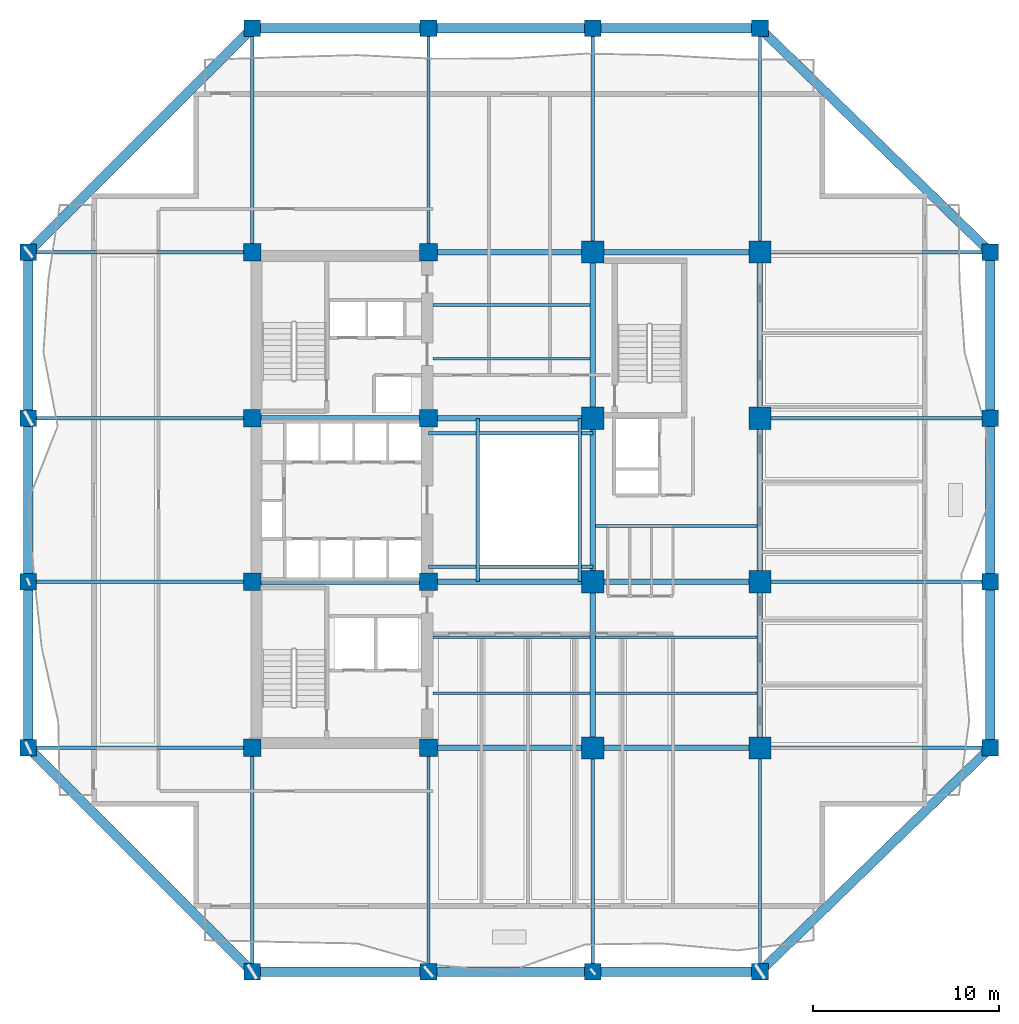
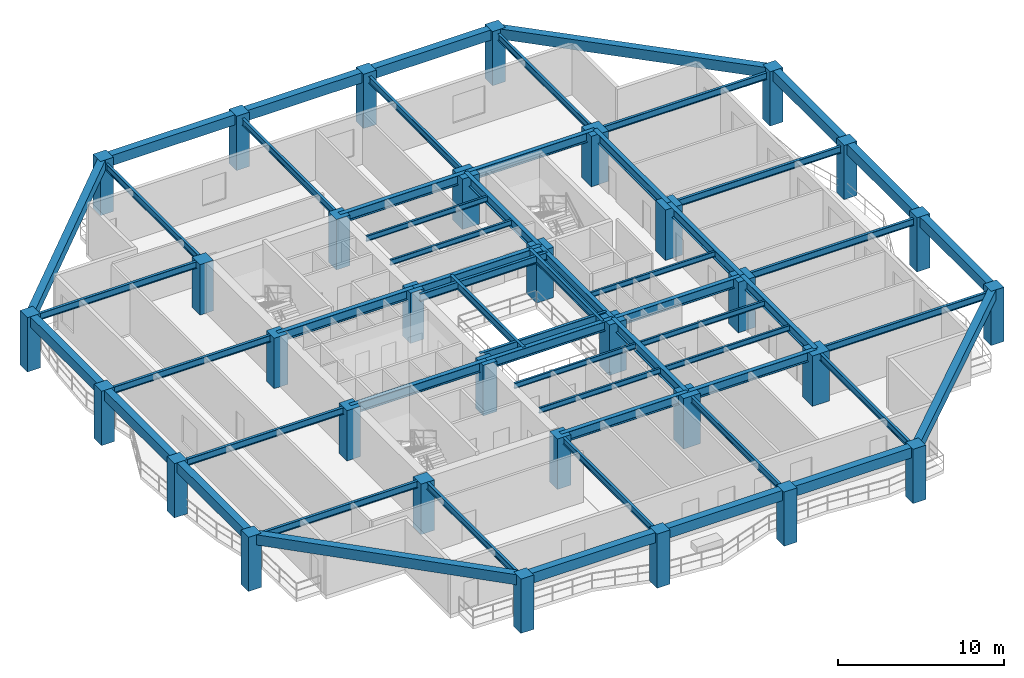
# One storey, part 1 of 13: 58 beams, 32 columns.
"""IFC4 building model written with IfcOpenShell, lengths in metres."""

from ifc_helpers import new_model, si_unit, direction, frame, origin, origin_2d, place, context, subcontext, project, spatial, rectangle, i_section, extrude, material, material_profile, profile_set, type_object, element, save


model = new_model("IFC4")

# Units and contexts
model_context = context("Model", 3, precision=1e-05, world=origin(), true_north=direction((0.0, 1.0)))
body_context = subcontext(model_context, "Body", "Model", "MODEL_VIEW")
ifc_project = project(units=[si_unit("LENGTHUNIT", "METRE"), si_unit("AREAUNIT", "SQUARE_METRE"), si_unit("VOLUMEUNIT", "CUBIC_METRE"), si_unit("PLANEANGLEUNIT", "RADIAN"), si_unit("MASSUNIT", "GRAM", prefix="KILO")], contexts=[model_context])

# Site, building, storey
site_placement = place(None, origin())
site = spatial("IfcSite", under=ifc_project, at=site_placement, CompositionType="ELEMENT")
building_placement = place(site_placement, origin())
building = spatial("IfcBuilding", under=site, at=building_placement, Name="Kundavana Baori Tower", CompositionType="ELEMENT")
storey_placement = place(building_placement, frame((0.0, 0.0, 66.0)))
storey = spatial("IfcBuildingStorey", under=building, at=storey_placement, Name="L15", CompositionType="ELEMENT", Elevation=66.0)

# Columns
ifc_material_1 = material(Name="Concrete C60/75", Category="concrete")
ifc_material_profile_1 = material_profile(ifc_material_1, rectangle(XDim=0.89990234375, YDim=0.89990234375, at=origin_2d()), Name="RC PF 900x900")
ifc_profile_set_1 = profile_set([ifc_material_profile_1], Name="Concrete C60/75")
column_type_1 = type_object("IfcColumnType", Name="COL-PF-900", PredefinedType="COLUMN", material=ifc_profile_set_1)
for number, where, z_axis, x_axis, name in (
    (1, (15.449951171875, 3.199951171875, 0.0), (0.0, 0.0, 1.0), (1.0, 0.0, 0.0), "L15 Stone-Clad Perimeter Frame Column PF-S1"),
    (2, (15.449951171875, 54.0, 0.0), (0.0, 0.0, 1.0), (1.0, 0.0, 0.0), "L15 Stone-Clad Perimeter Frame Column PF-N1"),
    (3, (24.949951171875, 3.199951171875, 0.0), (0.0, 0.0, 1.0), (1.0, 0.0, 0.0), "L15 Stone-Clad Perimeter Frame Column PF-S2"),
    (4, (24.949951171875, 54.0, 0.0), (0.0, 0.0, 1.0), (1.0, 0.0, 0.0), "L15 Stone-Clad Perimeter Frame Column PF-N2"),
    (5, (33.800048828125, 3.199951171875, 0.0), (0.0, 0.0, 1.0), (1.0, 0.0, 0.0), "L15 Stone-Clad Perimeter Frame Column PF-S3"),
    (6, (33.800048828125, 54.0, 0.0), (0.0, 0.0, 1.0), (1.0, 0.0, 0.0), "L15 Stone-Clad Perimeter Frame Column PF-N3"),
    (7, (42.800048828125, 3.199951171875, 0.0), (0.0, 0.0, 1.0), (1.0, 0.0, 0.0), "L15 Stone-Clad Perimeter Frame Column PF-S4"),
    (8, (42.800048828125, 54.0, 0.0), (0.0, 0.0, 1.0), (1.0, 0.0, 0.0), "L15 Stone-Clad Perimeter Frame Column PF-N4"),
    (9, (3.39990234375, 15.25, 0.0), (0.0, 0.0, 1.0), (1.0, 0.0, 0.0), "L15 Stone-Clad Perimeter Frame Column PF-W1"),
    (10, (55.199951171875, 15.25, 0.0), (0.0, 0.0, 1.0), (1.0, 0.0, 0.0), "L15 Stone-Clad Perimeter Frame Column PF-E1"),
    (11, (3.39990234375, 24.199951171875, 0.0), (0.0, 0.0, 1.0), (1.0, 0.0, 0.0), "L15 Stone-Clad Perimeter Frame Column PF-W2"),
    (12, (55.199951171875, 24.199951171875, 0.0), (0.0, 0.0, 1.0), (1.0, 0.0, 0.0), "L15 Stone-Clad Perimeter Frame Column PF-E2"),
    (13, (3.39990234375, 33.0, 0.0), (0.0, 0.0, 1.0), (1.0, 0.0, 0.0), "L15 Stone-Clad Perimeter Frame Column PF-W3"),
    (14, (55.199951171875, 33.0, 0.0), (0.0, 0.0, 1.0), (1.0, 0.0, 0.0), "L15 Stone-Clad Perimeter Frame Column PF-E3"),
    (15, (3.39990234375, 41.949951171875, 0.0), (0.0, 0.0, 1.0), (1.0, 0.0, 0.0), "L15 Stone-Clad Perimeter Frame Column PF-W4"),
    (16, (55.199951171875, 41.949951171875, 0.0), (0.0, 0.0, 1.0), (1.0, 0.0, 0.0), "L15 Stone-Clad Perimeter Frame Column PF-E4"),
):
    element("IfcColumn", number, at=place(storey_placement, frame(where, z_axis=z_axis, x_axis=x_axis)), inside=storey, type_object=column_type_1, Name=name, PredefinedType="COLUMN", context=body_context, shape_type="SweptSolid", body=[
        extrude(rectangle(XDim=0.89990234375, YDim=0.89990234375, at=origin_2d()), origin(), (0.0, 0.0, 1.0), 4.0),
    ])
ifc_material_2 = material(Name="Concrete C60/75", Category="concrete")
ifc_material_profile_2 = material_profile(ifc_material_2, rectangle(XDim=1.199951171875, YDim=1.199951171875, at=origin_2d()), Name="RC 1200x1200")
ifc_profile_set_2 = profile_set([ifc_material_profile_2], Name="Concrete C60/75")
column_type_2 = type_object("IfcColumnType", Name="COL-RC-1200", PredefinedType="COLUMN", material=ifc_profile_set_2)
for number, where, z_axis, x_axis, name in (
    (17, (33.800048828125, 15.25, 0.0), (0.0, 0.0, 1.0), (1.0, 0.0, 0.0), "L15 Interior Column IC-5C"),
    (18, (33.800048828125, 24.199951171875, 0.0), (0.0, 0.0, 1.0), (1.0, 0.0, 0.0), "L15 Interior Column IC-5D"),
    (19, (33.800048828125, 33.0, 0.0), (0.0, 0.0, 1.0), (1.0, 0.0, 0.0), "L15 Interior Column IC-5E"),
    (20, (33.800048828125, 41.949951171875, 0.0), (0.0, 0.0, 1.0), (1.0, 0.0, 0.0), "L15 Interior Column IC-5F"),
    (21, (42.800048828125, 15.25, 0.0), (0.0, 0.0, 1.0), (1.0, 0.0, 0.0), "L15 Interior Column IC-6C"),
    (22, (42.800048828125, 24.199951171875, 0.0), (0.0, 0.0, 1.0), (1.0, 0.0, 0.0), "L15 Interior Column IC-6D"),
    (23, (42.800048828125, 33.0, 0.0), (0.0, 0.0, 1.0), (1.0, 0.0, 0.0), "L15 Interior Column IC-6E"),
    (24, (42.800048828125, 41.949951171875, 0.0), (0.0, 0.0, 1.0), (1.0, 0.0, 0.0), "L15 Interior Column IC-6F"),
):
    element("IfcColumn", number, at=place(storey_placement, frame(where, z_axis=z_axis, x_axis=x_axis)), inside=storey, type_object=column_type_2, Name=name, PredefinedType="COLUMN", context=body_context, shape_type="SweptSolid", body=[
        extrude(rectangle(XDim=1.199951171875, YDim=1.199951171875, at=origin_2d()), origin(), (0.0, 0.0, 1.0), 3.719970703125),
    ])
ifc_material_3 = material(Name="Concrete C50/60", Category="concrete")
ifc_material_profile_3 = material_profile(ifc_material_3, rectangle(XDim=0.949951171875, YDim=0.949951171875, at=origin_2d()), Name="RC 950x950")
ifc_profile_set_3 = profile_set([ifc_material_profile_3], Name="Concrete C50/60")
column_type_3 = type_object("IfcColumnType", Name="COL-RC-950", PredefinedType="COLUMN", material=ifc_profile_set_3)
for number, where, z_axis, x_axis, name in (
    (25, (15.449951171875, 15.25, 0.0), (0.0, 0.0, 1.0), (1.0, 0.0, 0.0), "L15 Interior Column IC-3C"),
    (26, (15.449951171875, 24.199951171875, 0.0), (0.0, 0.0, 1.0), (1.0, 0.0, 0.0), "L15 Interior Column IC-3D"),
    (27, (15.449951171875, 33.0, 0.0), (0.0, 0.0, 1.0), (1.0, 0.0, 0.0), "L15 Interior Column IC-3E"),
    (28, (15.449951171875, 41.949951171875, 0.0), (0.0, 0.0, 1.0), (1.0, 0.0, 0.0), "L15 Interior Column IC-3F"),
    (29, (24.949951171875, 15.25, 0.0), (0.0, 0.0, 1.0), (1.0, 0.0, 0.0), "L15 Interior Column IC-4C"),
    (30, (24.949951171875, 24.199951171875, 0.0), (0.0, 0.0, 1.0), (1.0, 0.0, 0.0), "L15 Interior Column IC-4D"),
    (31, (24.949951171875, 33.0, 0.0), (0.0, 0.0, 1.0), (1.0, 0.0, 0.0), "L15 Interior Column IC-4E"),
    (32, (24.949951171875, 41.949951171875, 0.0), (0.0, 0.0, 1.0), (1.0, 0.0, 0.0), "L15 Interior Column IC-4F"),
):
    element("IfcColumn", number, at=place(storey_placement, frame(where, z_axis=z_axis, x_axis=x_axis)), inside=storey, type_object=column_type_3, Name=name, PredefinedType="COLUMN", context=body_context, shape_type="SweptSolid", body=[
        extrude(rectangle(XDim=0.949951171875, YDim=0.949951171875, at=origin_2d()), origin(), (0.0, 0.0, 1.0), 3.719970703125),
    ])

# Beams
ifc_material_4 = material(Name="Structural Steel S355JR", Category="steel")
ifc_material_profile_4 = material_profile(ifc_material_4, i_section(OverallWidth=0.139892578125, OverallDepth=0.39990234375, WebThickness=0.0087890625, FlangeThickness=0.01611328125, FilletRadius=0.013916015625, at=origin_2d()), Name="ISMB 400")
ifc_profile_set_4 = profile_set([ifc_material_profile_4], Name="Structural Steel S355JR")
beam_type_1 = type_object("IfcBeamType", Name="BM-JST-400", PredefinedType="JOIST", material=ifc_profile_set_4)
for number, where, z_axis, x_axis, name in (
    (33, (25.179931640625, 18.199951171875, 3.52001953125), (1.0, 0.0, 0.0), (0.0, 1.0, 0.0), "L15 Central Bay Composite Floor Joist C1"),
    (34, (25.179931640625, 21.199951171875, 3.52001953125), (1.0, 0.0, 0.0), (0.0, 1.0, 0.0), "L15 Central Bay Composite Floor Joist C2"),
    (35, (25.179931640625, 36.199951171875, 3.52001953125), (1.0, 0.0, 0.0), (0.0, 1.0, 0.0), "L15 Central Bay Composite Floor Joist C3"),
    (36, (25.179931640625, 39.10009765625, 3.52001953125), (1.0, 0.0, 0.0), (0.0, 1.0, 0.0), "L15 Central Bay Composite Floor Joist C4"),
):
    element("IfcBeam", number, at=place(storey_placement, frame(where, z_axis=z_axis, x_axis=x_axis)), inside=storey, type_object=beam_type_1, Name=name, PredefinedType="JOIST", context=body_context, shape_type="SweptSolid", body=[
        extrude(i_section(OverallWidth=0.139892578125, OverallDepth=0.39990234375, WebThickness=0.0087890625, FlangeThickness=0.01611328125, FilletRadius=0.013916015625, at=origin_2d()), origin(), (0.0, 0.0, 1.0), 8.469970703125),
    ])
for number, where, z_axis, x_axis, name in (
    (37, (33.949951171875, 18.199951171875, 3.52001953125), (1.0, 0.0, 0.0), (0.0, 1.0, 0.0), "L15 East Bay Composite Floor Joist E1"),
    (38, (33.949951171875, 21.199951171875, 3.52001953125), (1.0, 0.0, 0.0), (0.0, 1.0, 0.0), "L15 East Bay Composite Floor Joist E2"),
    (39, (33.949951171875, 27.199951171875, 3.52001953125), (1.0, 0.0, 0.0), (0.0, 1.0, 0.0), "L15 East Bay Composite Floor Joist E3"),
):
    element("IfcBeam", number, at=place(storey_placement, frame(where, z_axis=z_axis, x_axis=x_axis)), inside=storey, type_object=beam_type_1, Name=name, PredefinedType="JOIST", context=body_context, shape_type="SweptSolid", body=[
        extrude(i_section(OverallWidth=0.139892578125, OverallDepth=0.39990234375, WebThickness=0.0087890625, FlangeThickness=0.01611328125, FilletRadius=0.013916015625, at=origin_2d()), origin(), (0.0, 0.0, 1.0), 8.699951171875),
    ])
ifc_material_5 = material(Name="Concrete C50/60", Category="concrete")
ifc_material_profile_5 = material_profile(ifc_material_5, rectangle(XDim=0.5, YDim=0.75, at=origin_2d()), Name="RC BM 500x750")
ifc_profile_set_5 = profile_set([ifc_material_profile_5], Name="Concrete C50/60")
beam_type_2 = type_object("IfcBeamType", Name="BM-PF-750", PredefinedType="SPANDREL", material=ifc_profile_set_5)
beam_1_placement = place(storey_placement, frame((15.449951171875, 3.199951171875, 3.625), z_axis=(1.0, 0.0, 0.0), x_axis=(0.0, 1.0, 0.0)))
element("IfcBeam", 40, at=beam_1_placement, inside=storey, type_object=beam_type_2, Name="L15 Perimeter Frame Ring Beam S1", PredefinedType="SPANDREL", context=body_context, shape_type="SweptSolid", body=[
    extrude(rectangle(XDim=0.5, YDim=0.75, at=origin_2d()), origin(), (0.0, 0.0, 1.0), 9.5),
])
beam_2_placement = place(storey_placement, frame((24.949951171875, 3.199951171875, 3.625), z_axis=(1.0, 0.0, 0.0), x_axis=(0.0, 1.0, 0.0)))
element("IfcBeam", 41, at=beam_2_placement, inside=storey, type_object=beam_type_2, Name="L15 Perimeter Frame Ring Beam S2", PredefinedType="SPANDREL", context=body_context, shape_type="SweptSolid", body=[
    extrude(rectangle(XDim=0.5, YDim=0.75, at=origin_2d()), origin(), (0.0, 0.0, 1.0), 8.85009765625),
])
beam_3_placement = place(storey_placement, frame((33.800048828125, 3.199951171875, 3.625), z_axis=(1.0, 0.0, 0.0), x_axis=(0.0, 1.0, 0.0)))
element("IfcBeam", 42, at=beam_3_placement, inside=storey, type_object=beam_type_2, Name="L15 Perimeter Frame Ring Beam S3", PredefinedType="SPANDREL", context=body_context, shape_type="SweptSolid", body=[
    extrude(rectangle(XDim=0.5, YDim=0.75, at=origin_2d()), origin(), (0.0, 0.0, 1.0), 9.0),
])
beam_4_placement = place(storey_placement, frame((15.449951171875, 54.0, 3.625), z_axis=(1.0, 0.0, 0.0), x_axis=(0.0, 1.0, 0.0)))
element("IfcBeam", 43, at=beam_4_placement, inside=storey, type_object=beam_type_2, Name="L15 Perimeter Frame Ring Beam N1", PredefinedType="SPANDREL", context=body_context, shape_type="SweptSolid", body=[
    extrude(rectangle(XDim=0.5, YDim=0.75, at=origin_2d()), origin(), (0.0, 0.0, 1.0), 9.5),
])
beam_5_placement = place(storey_placement, frame((24.949951171875, 54.0, 3.625), z_axis=(1.0, 0.0, 0.0), x_axis=(0.0, 1.0, 0.0)))
element("IfcBeam", 44, at=beam_5_placement, inside=storey, type_object=beam_type_2, Name="L15 Perimeter Frame Ring Beam N2", PredefinedType="SPANDREL", context=body_context, shape_type="SweptSolid", body=[
    extrude(rectangle(XDim=0.5, YDim=0.75, at=origin_2d()), origin(), (0.0, 0.0, 1.0), 8.85009765625),
])
beam_6_placement = place(storey_placement, frame((33.800048828125, 54.0, 3.625), z_axis=(1.0, 0.0, 0.0), x_axis=(0.0, 1.0, 0.0)))
element("IfcBeam", 45, at=beam_6_placement, inside=storey, type_object=beam_type_2, Name="L15 Perimeter Frame Ring Beam N3", PredefinedType="SPANDREL", context=body_context, shape_type="SweptSolid", body=[
    extrude(rectangle(XDim=0.5, YDim=0.75, at=origin_2d()), origin(), (0.0, 0.0, 1.0), 9.0),
])
beam_7_placement = place(storey_placement, frame((3.39990234375, 15.25, 3.625), z_axis=(0.0, 1.0, 0.0), x_axis=(-1.0, 0.0, 0.0)))
element("IfcBeam", 46, at=beam_7_placement, inside=storey, type_object=beam_type_2, Name="L15 Perimeter Frame Ring Beam W1", PredefinedType="SPANDREL", context=body_context, shape_type="SweptSolid", body=[
    extrude(rectangle(XDim=0.5, YDim=0.75, at=origin_2d()), origin(), (0.0, 0.0, 1.0), 8.949951171875),
])
beam_8_placement = place(storey_placement, frame((3.39990234375, 24.199951171875, 3.625), z_axis=(0.0, 1.0, 0.0), x_axis=(-1.0, 0.0, 0.0)))
element("IfcBeam", 47, at=beam_8_placement, inside=storey, type_object=beam_type_2, Name="L15 Perimeter Frame Ring Beam W2", PredefinedType="SPANDREL", context=body_context, shape_type="SweptSolid", body=[
    extrude(rectangle(XDim=0.5, YDim=0.75, at=origin_2d()), origin(), (0.0, 0.0, 1.0), 8.800048828125),
])
for number, where, z_axis, x_axis, name in (
    (48, (3.39990234375, 33.0, 3.625), (0.0, 1.0, 0.0), (-1.0, 0.0, 0.0), "L15 Perimeter Frame Ring Beam W3"),
    (49, (55.199951171875, 15.25, 3.625), (0.0, 1.0, 0.0), (-1.0, 0.0, 0.0), "L15 Perimeter Frame Ring Beam E1"),
):
    element("IfcBeam", number, at=place(storey_placement, frame(where, z_axis=z_axis, x_axis=x_axis)), inside=storey, type_object=beam_type_2, Name=name, PredefinedType="SPANDREL", context=body_context, shape_type="SweptSolid", body=[
        extrude(rectangle(XDim=0.5, YDim=0.75, at=origin_2d()), origin(), (0.0, 0.0, 1.0), 8.949951171875),
    ])
beam_9_placement = place(storey_placement, frame((55.199951171875, 24.199951171875, 3.625), z_axis=(0.0, 1.0, 0.0), x_axis=(-1.0, 0.0, 0.0)))
element("IfcBeam", 50, at=beam_9_placement, inside=storey, type_object=beam_type_2, Name="L15 Perimeter Frame Ring Beam E2", PredefinedType="SPANDREL", context=body_context, shape_type="SweptSolid", body=[
    extrude(rectangle(XDim=0.5, YDim=0.75, at=origin_2d()), origin(), (0.0, 0.0, 1.0), 8.800048828125),
])
beam_10_placement = place(storey_placement, frame((55.199951171875, 33.0, 3.625), z_axis=(0.0, 1.0, 0.0), x_axis=(-1.0, 0.0, 0.0)))
element("IfcBeam", 51, at=beam_10_placement, inside=storey, type_object=beam_type_2, Name="L15 Perimeter Frame Ring Beam E3", PredefinedType="SPANDREL", context=body_context, shape_type="SweptSolid", body=[
    extrude(rectangle(XDim=0.5, YDim=0.75, at=origin_2d()), origin(), (0.0, 0.0, 1.0), 8.949951171875),
])
beam_11_placement = place(storey_placement, frame((15.449951171875, 3.199951171875, 3.625), z_axis=(-0.707106781187, 0.707106781187, 0.0), x_axis=(-0.707106781187, -0.707106781187, 0.0)))
element("IfcBeam", 52, at=beam_11_placement, inside=storey, type_object=beam_type_2, Name="L15 Notched Corner Perimeter Beam SW", PredefinedType="SPANDREL", context=body_context, shape_type="SweptSolid", body=[
    extrude(rectangle(XDim=0.5, YDim=0.75, at=origin_2d()), origin(), (0.0, 0.0, 1.0), 17.041259765625),
])
beam_12_placement = place(storey_placement, frame((42.800048828125, 3.199951171875, 3.625), z_axis=(0.717151334594, 0.696917472367, 0.0), x_axis=(-0.696917472367, 0.717151334594, 0.0)))
element("IfcBeam", 53, at=beam_12_placement, inside=storey, type_object=beam_type_2, Name="L15 Notched Corner Perimeter Beam SE", PredefinedType="SPANDREL", context=body_context, shape_type="SweptSolid", body=[
    extrude(rectangle(XDim=0.5, YDim=0.75, at=origin_2d()), origin(), (0.0, 0.0, 1.0), 17.29052734375),
])
beam_13_placement = place(storey_placement, frame((15.449951171875, 54.0, 3.625), z_axis=(-0.707106781187, -0.707106781187, 0.0), x_axis=(0.707106781187, -0.707106781187, 0.0)))
element("IfcBeam", 54, at=beam_13_placement, inside=storey, type_object=beam_type_2, Name="L15 Notched Corner Perimeter Beam NW", PredefinedType="SPANDREL", context=body_context, shape_type="SweptSolid", body=[
    extrude(rectangle(XDim=0.5, YDim=0.75, at=origin_2d()), origin(), (0.0, 0.0, 1.0), 17.041259765625),
])
beam_14_placement = place(storey_placement, frame((42.800048828125, 54.0, 3.625), z_axis=(0.717151334594, -0.696917472367, 0.0), x_axis=(0.696917472367, 0.717151334594, 0.0)))
element("IfcBeam", 55, at=beam_14_placement, inside=storey, type_object=beam_type_2, Name="L15 Notched Corner Perimeter Beam NE", PredefinedType="SPANDREL", context=body_context, shape_type="SweptSolid", body=[
    extrude(rectangle(XDim=0.5, YDim=0.75, at=origin_2d()), origin(), (0.0, 0.0, 1.0), 17.29052734375),
])
ifc_material_6 = material(Name="Structural Steel S355JR", Category="steel")
ifc_material_profile_6 = material_profile(ifc_material_6, i_section(OverallWidth=0.18994140625, OverallDepth=0.550048828125, WebThickness=0.01123046875, FlangeThickness=0.019287109375, FilletRadius=0.01806640625, at=origin_2d()), Name="ISMB 550")
ifc_profile_set_6 = profile_set([ifc_material_profile_6], Name="Structural Steel S355JR")
beam_type_3 = type_object("IfcBeamType", Name="BM-ST-550", PredefinedType="BEAM", material=ifc_profile_set_6)
for number, where, z_axis, x_axis, name in (
    (56, (27.60009765625, 24.199951171875, 3.445068359375), (0.0, 1.0, 0.0), (-1.0, 0.0, 0.0), "L15 Atrium West Edge Beam"),
    (57, (33.10009765625, 24.199951171875, 3.445068359375), (0.0, 1.0, 0.0), (-1.0, 0.0, 0.0), "L15 Atrium East Edge Beam"),
):
    element("IfcBeam", number, at=place(storey_placement, frame(where, z_axis=z_axis, x_axis=x_axis)), inside=storey, type_object=beam_type_3, Name=name, PredefinedType="BEAM", context=body_context, shape_type="SweptSolid", body=[
        extrude(i_section(OverallWidth=0.18994140625, OverallDepth=0.550048828125, WebThickness=0.01123046875, FlangeThickness=0.019287109375, FilletRadius=0.01806640625, at=origin_2d()), origin(), (0.0, 0.0, 1.0), 8.800048828125),
    ])
for number, where, z_axis, x_axis, name in (
    (58, (24.949951171875, 25.0, 3.445068359375), (1.0, 0.0, 0.0), (0.0, 1.0, 0.0), "L15 Atrium South Edge Beam"),
    (59, (24.949951171875, 32.199951171875, 3.445068359375), (1.0, 0.0, 0.0), (0.0, 1.0, 0.0), "L15 Atrium North Edge Beam"),
):
    element("IfcBeam", number, at=place(storey_placement, frame(where, z_axis=z_axis, x_axis=x_axis)), inside=storey, type_object=beam_type_3, Name=name, PredefinedType="BEAM", context=body_context, shape_type="SweptSolid", body=[
        extrude(i_section(OverallWidth=0.18994140625, OverallDepth=0.550048828125, WebThickness=0.01123046875, FlangeThickness=0.019287109375, FilletRadius=0.01806640625, at=origin_2d()), origin(), (0.0, 0.0, 1.0), 8.85009765625),
    ])
ifc_material_7 = material(Name="Structural Steel S355JR", Category="steel")
ifc_material_profile_7 = material_profile(ifc_material_7, i_section(OverallWidth=0.300048828125, OverallDepth=0.699951171875, WebThickness=0.014404296875, FlangeThickness=0.02392578125, FilletRadius=0.02392578125, at=origin_2d()), Name="NPB 700x300x170")
ifc_profile_set_7 = profile_set([ifc_material_profile_7], Name="Structural Steel S355JR")
beam_type_4 = type_object("IfcBeamType", Name="BM-ST-700", PredefinedType="BEAM", material=ifc_profile_set_7)
beam_15_placement = place(storey_placement, frame((24.949951171875, 15.25, 3.3701171875), z_axis=(1.0, 0.0, 0.0), x_axis=(0.0, 1.0, 0.0)))
element("IfcBeam", 60, at=beam_15_placement, inside=storey, type_object=beam_type_4, Name="L15 Primary Grid Girder GX-1-2", PredefinedType="BEAM", context=body_context, shape_type="SweptSolid", body=[
    extrude(i_section(OverallWidth=0.300048828125, OverallDepth=0.699951171875, WebThickness=0.014404296875, FlangeThickness=0.02392578125, FilletRadius=0.02392578125, at=origin_2d()), origin(), (0.0, 0.0, 1.0), 8.85009765625),
])
beam_16_placement = place(storey_placement, frame((33.800048828125, 15.25, 3.3701171875), z_axis=(1.0, 0.0, 0.0), x_axis=(0.0, 1.0, 0.0)))
element("IfcBeam", 61, at=beam_16_placement, inside=storey, type_object=beam_type_4, Name="L15 Primary Grid Girder GX-1-3", PredefinedType="BEAM", context=body_context, shape_type="SweptSolid", body=[
    extrude(i_section(OverallWidth=0.300048828125, OverallDepth=0.699951171875, WebThickness=0.014404296875, FlangeThickness=0.02392578125, FilletRadius=0.02392578125, at=origin_2d()), origin(), (0.0, 0.0, 1.0), 9.0),
])
beam_17_placement = place(storey_placement, frame((15.449951171875, 24.199951171875, 3.3701171875), z_axis=(1.0, 0.0, 0.0), x_axis=(0.0, 1.0, 0.0)))
element("IfcBeam", 62, at=beam_17_placement, inside=storey, type_object=beam_type_4, Name="L15 Primary Grid Girder GX-2-1", PredefinedType="BEAM", context=body_context, shape_type="SweptSolid", body=[
    extrude(i_section(OverallWidth=0.300048828125, OverallDepth=0.699951171875, WebThickness=0.014404296875, FlangeThickness=0.02392578125, FilletRadius=0.02392578125, at=origin_2d()), origin(), (0.0, 0.0, 1.0), 9.5),
])
beam_18_placement = place(storey_placement, frame((24.949951171875, 24.199951171875, 3.3701171875), z_axis=(1.0, 0.0, 0.0), x_axis=(0.0, 1.0, 0.0)))
element("IfcBeam", 63, at=beam_18_placement, inside=storey, type_object=beam_type_4, Name="L15 Primary Grid Girder GX-2-2", PredefinedType="BEAM", context=body_context, shape_type="SweptSolid", body=[
    extrude(i_section(OverallWidth=0.300048828125, OverallDepth=0.699951171875, WebThickness=0.014404296875, FlangeThickness=0.02392578125, FilletRadius=0.02392578125, at=origin_2d()), origin(), (0.0, 0.0, 1.0), 8.85009765625),
])
beam_19_placement = place(storey_placement, frame((33.800048828125, 24.199951171875, 3.3701171875), z_axis=(1.0, 0.0, 0.0), x_axis=(0.0, 1.0, 0.0)))
element("IfcBeam", 64, at=beam_19_placement, inside=storey, type_object=beam_type_4, Name="L15 Primary Grid Girder GX-2-3", PredefinedType="BEAM", context=body_context, shape_type="SweptSolid", body=[
    extrude(i_section(OverallWidth=0.300048828125, OverallDepth=0.699951171875, WebThickness=0.014404296875, FlangeThickness=0.02392578125, FilletRadius=0.02392578125, at=origin_2d()), origin(), (0.0, 0.0, 1.0), 9.0),
])
beam_20_placement = place(storey_placement, frame((15.449951171875, 33.0, 3.3701171875), z_axis=(1.0, 0.0, 0.0), x_axis=(0.0, 1.0, 0.0)))
element("IfcBeam", 65, at=beam_20_placement, inside=storey, type_object=beam_type_4, Name="L15 Primary Grid Girder GX-3-1", PredefinedType="BEAM", context=body_context, shape_type="SweptSolid", body=[
    extrude(i_section(OverallWidth=0.300048828125, OverallDepth=0.699951171875, WebThickness=0.014404296875, FlangeThickness=0.02392578125, FilletRadius=0.02392578125, at=origin_2d()), origin(), (0.0, 0.0, 1.0), 9.5),
])
for number, where, z_axis, x_axis, name in (
    (66, (24.949951171875, 33.0, 3.3701171875), (1.0, 0.0, 0.0), (0.0, 1.0, 0.0), "L15 Primary Grid Girder GX-3-2"),
    (67, (24.949951171875, 41.949951171875, 3.3701171875), (1.0, 0.0, 0.0), (0.0, 1.0, 0.0), "L15 Primary Grid Girder GX-4-2"),
):
    element("IfcBeam", number, at=place(storey_placement, frame(where, z_axis=z_axis, x_axis=x_axis)), inside=storey, type_object=beam_type_4, Name=name, PredefinedType="BEAM", context=body_context, shape_type="SweptSolid", body=[
        extrude(i_section(OverallWidth=0.300048828125, OverallDepth=0.699951171875, WebThickness=0.014404296875, FlangeThickness=0.02392578125, FilletRadius=0.02392578125, at=origin_2d()), origin(), (0.0, 0.0, 1.0), 8.85009765625),
    ])
beam_21_placement = place(storey_placement, frame((33.800048828125, 41.949951171875, 3.3701171875), z_axis=(1.0, 0.0, 0.0), x_axis=(0.0, 1.0, 0.0)))
element("IfcBeam", 68, at=beam_21_placement, inside=storey, type_object=beam_type_4, Name="L15 Primary Grid Girder GX-4-3", PredefinedType="BEAM", context=body_context, shape_type="SweptSolid", body=[
    extrude(i_section(OverallWidth=0.300048828125, OverallDepth=0.699951171875, WebThickness=0.014404296875, FlangeThickness=0.02392578125, FilletRadius=0.02392578125, at=origin_2d()), origin(), (0.0, 0.0, 1.0), 9.0),
])
beam_22_placement = place(storey_placement, frame((33.800048828125, 15.25, 3.3701171875), z_axis=(0.0, 1.0, 0.0), x_axis=(-1.0, 0.0, 0.0)))
element("IfcBeam", 69, at=beam_22_placement, inside=storey, type_object=beam_type_4, Name="L15 Primary Grid Girder GY-3-1", PredefinedType="BEAM", context=body_context, shape_type="SweptSolid", body=[
    extrude(i_section(OverallWidth=0.300048828125, OverallDepth=0.699951171875, WebThickness=0.014404296875, FlangeThickness=0.02392578125, FilletRadius=0.02392578125, at=origin_2d()), origin(), (0.0, 0.0, 1.0), 8.949951171875),
])
beam_23_placement = place(storey_placement, frame((33.800048828125, 24.199951171875, 3.3701171875), z_axis=(0.0, 1.0, 0.0), x_axis=(-1.0, 0.0, 0.0)))
element("IfcBeam", 70, at=beam_23_placement, inside=storey, type_object=beam_type_4, Name="L15 Primary Grid Girder GY-3-2", PredefinedType="BEAM", context=body_context, shape_type="SweptSolid", body=[
    extrude(i_section(OverallWidth=0.300048828125, OverallDepth=0.699951171875, WebThickness=0.014404296875, FlangeThickness=0.02392578125, FilletRadius=0.02392578125, at=origin_2d()), origin(), (0.0, 0.0, 1.0), 8.800048828125),
])
for number, where, z_axis, x_axis, name in (
    (71, (33.800048828125, 33.0, 3.3701171875), (0.0, 1.0, 0.0), (-1.0, 0.0, 0.0), "L15 Primary Grid Girder GY-3-3"),
    (72, (42.800048828125, 15.25, 3.3701171875), (0.0, 1.0, 0.0), (-1.0, 0.0, 0.0), "L15 Primary Grid Girder GY-4-1"),
):
    element("IfcBeam", number, at=place(storey_placement, frame(where, z_axis=z_axis, x_axis=x_axis)), inside=storey, type_object=beam_type_4, Name=name, PredefinedType="BEAM", context=body_context, shape_type="SweptSolid", body=[
        extrude(i_section(OverallWidth=0.300048828125, OverallDepth=0.699951171875, WebThickness=0.014404296875, FlangeThickness=0.02392578125, FilletRadius=0.02392578125, at=origin_2d()), origin(), (0.0, 0.0, 1.0), 8.949951171875),
    ])
beam_24_placement = place(storey_placement, frame((42.800048828125, 24.199951171875, 3.3701171875), z_axis=(0.0, 1.0, 0.0), x_axis=(-1.0, 0.0, 0.0)))
element("IfcBeam", 73, at=beam_24_placement, inside=storey, type_object=beam_type_4, Name="L15 Primary Grid Girder GY-4-2", PredefinedType="BEAM", context=body_context, shape_type="SweptSolid", body=[
    extrude(i_section(OverallWidth=0.300048828125, OverallDepth=0.699951171875, WebThickness=0.014404296875, FlangeThickness=0.02392578125, FilletRadius=0.02392578125, at=origin_2d()), origin(), (0.0, 0.0, 1.0), 8.800048828125),
])
beam_25_placement = place(storey_placement, frame((42.800048828125, 33.0, 3.3701171875), z_axis=(0.0, 1.0, 0.0), x_axis=(-1.0, 0.0, 0.0)))
element("IfcBeam", 74, at=beam_25_placement, inside=storey, type_object=beam_type_4, Name="L15 Primary Grid Girder GY-4-3", PredefinedType="BEAM", context=body_context, shape_type="SweptSolid", body=[
    extrude(i_section(OverallWidth=0.300048828125, OverallDepth=0.699951171875, WebThickness=0.014404296875, FlangeThickness=0.02392578125, FilletRadius=0.02392578125, at=origin_2d()), origin(), (0.0, 0.0, 1.0), 8.949951171875),
])
ifc_material_8 = material(Name="Structural Steel S355JR", Category="steel")
ifc_material_profile_8 = material_profile(ifc_material_8, i_section(OverallWidth=0.179931640625, OverallDepth=0.5, WebThickness=0.01025390625, FlangeThickness=0.01708984375, FilletRadius=0.01708984375, at=origin_2d()), Name="ISMB 500")
ifc_profile_set_8 = profile_set([ifc_material_profile_8], Name="Structural Steel S355JR")
beam_type_5 = type_object("IfcBeamType", Name="BM-TIE-500", PredefinedType="BEAM", material=ifc_profile_set_8)
for number, where, z_axis, x_axis, name in (
    (75, (15.449951171875, 15.25, 3.469970703125), (0.0, -1.0, 0.0), (1.0, 0.0, 0.0), "L15 South Radial Loggia Tie Beam S1"),
    (76, (15.449951171875, 41.949951171875, 3.469970703125), (0.0, 1.0, 0.0), (-1.0, 0.0, 0.0), "L15 North Radial Loggia Tie Beam N1"),
    (77, (24.949951171875, 15.25, 3.469970703125), (0.0, -1.0, 0.0), (1.0, 0.0, 0.0), "L15 South Radial Loggia Tie Beam S2"),
    (78, (24.949951171875, 41.949951171875, 3.469970703125), (0.0, 1.0, 0.0), (-1.0, 0.0, 0.0), "L15 North Radial Loggia Tie Beam N2"),
    (79, (33.800048828125, 15.25, 3.469970703125), (0.0, -1.0, 0.0), (1.0, 0.0, 0.0), "L15 South Radial Loggia Tie Beam S3"),
    (80, (33.800048828125, 41.949951171875, 3.469970703125), (0.0, 1.0, 0.0), (-1.0, 0.0, 0.0), "L15 North Radial Loggia Tie Beam N3"),
    (81, (42.800048828125, 15.25, 3.469970703125), (0.0, -1.0, 0.0), (1.0, 0.0, 0.0), "L15 South Radial Loggia Tie Beam S4"),
    (82, (42.800048828125, 41.949951171875, 3.469970703125), (0.0, 1.0, 0.0), (-1.0, 0.0, 0.0), "L15 North Radial Loggia Tie Beam N4"),
    (83, (15.449951171875, 15.25, 3.469970703125), (-1.0, 0.0, 0.0), (0.0, -1.0, 0.0), "L15 West Radial Loggia Tie Beam W1"),
):
    element("IfcBeam", number, at=place(storey_placement, frame(where, z_axis=z_axis, x_axis=x_axis)), inside=storey, type_object=beam_type_5, Name=name, PredefinedType="BEAM", context=body_context, shape_type="SweptSolid", body=[
        extrude(i_section(OverallWidth=0.179931640625, OverallDepth=0.5, WebThickness=0.01025390625, FlangeThickness=0.01708984375, FilletRadius=0.01708984375, at=origin_2d()), origin(), (0.0, 0.0, 1.0), 12.050048828125),
    ])
beam_26_placement = place(storey_placement, frame((42.800048828125, 15.25, 3.469970703125), z_axis=(1.0, 0.0, 0.0), x_axis=(0.0, 1.0, 0.0)))
element("IfcBeam", 84, at=beam_26_placement, inside=storey, type_object=beam_type_5, Name="L15 East Radial Loggia Tie Beam E1", PredefinedType="BEAM", context=body_context, shape_type="SweptSolid", body=[
    extrude(i_section(OverallWidth=0.179931640625, OverallDepth=0.5, WebThickness=0.01025390625, FlangeThickness=0.01708984375, FilletRadius=0.01708984375, at=origin_2d()), origin(), (0.0, 0.0, 1.0), 12.39990234375),
])
beam_27_placement = place(storey_placement, frame((15.449951171875, 24.199951171875, 3.469970703125), z_axis=(-1.0, 0.0, 0.0), x_axis=(0.0, -1.0, 0.0)))
element("IfcBeam", 85, at=beam_27_placement, inside=storey, type_object=beam_type_5, Name="L15 West Radial Loggia Tie Beam W2", PredefinedType="BEAM", context=body_context, shape_type="SweptSolid", body=[
    extrude(i_section(OverallWidth=0.179931640625, OverallDepth=0.5, WebThickness=0.01025390625, FlangeThickness=0.01708984375, FilletRadius=0.01708984375, at=origin_2d()), origin(), (0.0, 0.0, 1.0), 12.050048828125),
])
beam_28_placement = place(storey_placement, frame((42.800048828125, 24.199951171875, 3.469970703125), z_axis=(1.0, 0.0, 0.0), x_axis=(0.0, 1.0, 0.0)))
element("IfcBeam", 86, at=beam_28_placement, inside=storey, type_object=beam_type_5, Name="L15 East Radial Loggia Tie Beam E2", PredefinedType="BEAM", context=body_context, shape_type="SweptSolid", body=[
    extrude(i_section(OverallWidth=0.179931640625, OverallDepth=0.5, WebThickness=0.01025390625, FlangeThickness=0.01708984375, FilletRadius=0.01708984375, at=origin_2d()), origin(), (0.0, 0.0, 1.0), 12.39990234375),
])
beam_29_placement = place(storey_placement, frame((15.449951171875, 33.0, 3.469970703125), z_axis=(-1.0, 0.0, 0.0), x_axis=(0.0, -1.0, 0.0)))
element("IfcBeam", 87, at=beam_29_placement, inside=storey, type_object=beam_type_5, Name="L15 West Radial Loggia Tie Beam W3", PredefinedType="BEAM", context=body_context, shape_type="SweptSolid", body=[
    extrude(i_section(OverallWidth=0.179931640625, OverallDepth=0.5, WebThickness=0.01025390625, FlangeThickness=0.01708984375, FilletRadius=0.01708984375, at=origin_2d()), origin(), (0.0, 0.0, 1.0), 12.050048828125),
])
beam_30_placement = place(storey_placement, frame((42.800048828125, 33.0, 3.469970703125), z_axis=(1.0, 0.0, 0.0), x_axis=(0.0, 1.0, 0.0)))
element("IfcBeam", 88, at=beam_30_placement, inside=storey, type_object=beam_type_5, Name="L15 East Radial Loggia Tie Beam E3", PredefinedType="BEAM", context=body_context, shape_type="SweptSolid", body=[
    extrude(i_section(OverallWidth=0.179931640625, OverallDepth=0.5, WebThickness=0.01025390625, FlangeThickness=0.01708984375, FilletRadius=0.01708984375, at=origin_2d()), origin(), (0.0, 0.0, 1.0), 12.39990234375),
])
beam_31_placement = place(storey_placement, frame((15.449951171875, 41.949951171875, 3.469970703125), z_axis=(-1.0, 0.0, 0.0), x_axis=(0.0, -1.0, 0.0)))
element("IfcBeam", 89, at=beam_31_placement, inside=storey, type_object=beam_type_5, Name="L15 West Radial Loggia Tie Beam W4", PredefinedType="BEAM", context=body_context, shape_type="SweptSolid", body=[
    extrude(i_section(OverallWidth=0.179931640625, OverallDepth=0.5, WebThickness=0.01025390625, FlangeThickness=0.01708984375, FilletRadius=0.01708984375, at=origin_2d()), origin(), (0.0, 0.0, 1.0), 12.050048828125),
])
beam_32_placement = place(storey_placement, frame((42.800048828125, 41.949951171875, 3.469970703125), z_axis=(1.0, 0.0, 0.0), x_axis=(0.0, 1.0, 0.0)))
element("IfcBeam", 90, at=beam_32_placement, inside=storey, type_object=beam_type_5, Name="L15 East Radial Loggia Tie Beam E4", PredefinedType="BEAM", context=body_context, shape_type="SweptSolid", body=[
    extrude(i_section(OverallWidth=0.179931640625, OverallDepth=0.5, WebThickness=0.01025390625, FlangeThickness=0.01708984375, FilletRadius=0.01708984375, at=origin_2d()), origin(), (0.0, 0.0, 1.0), 12.39990234375),
])

save(model, "model.ifc")
